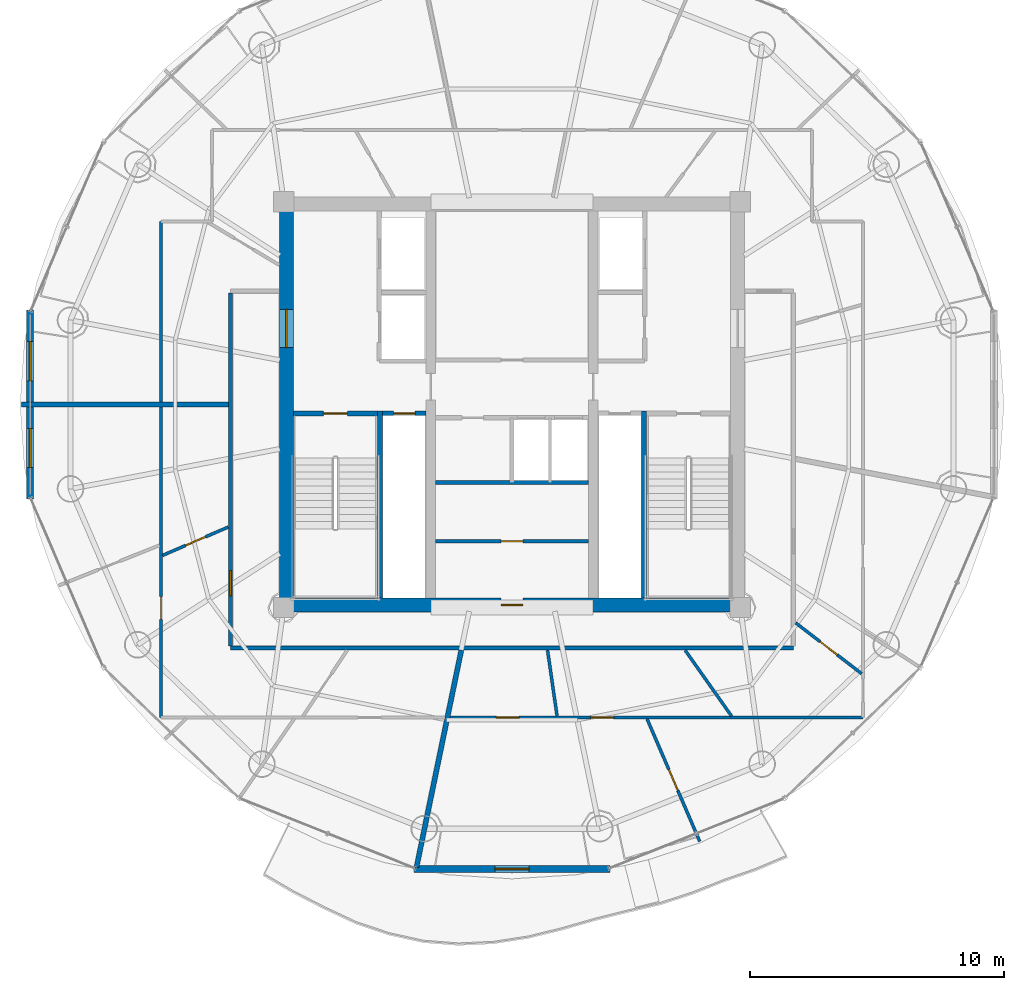
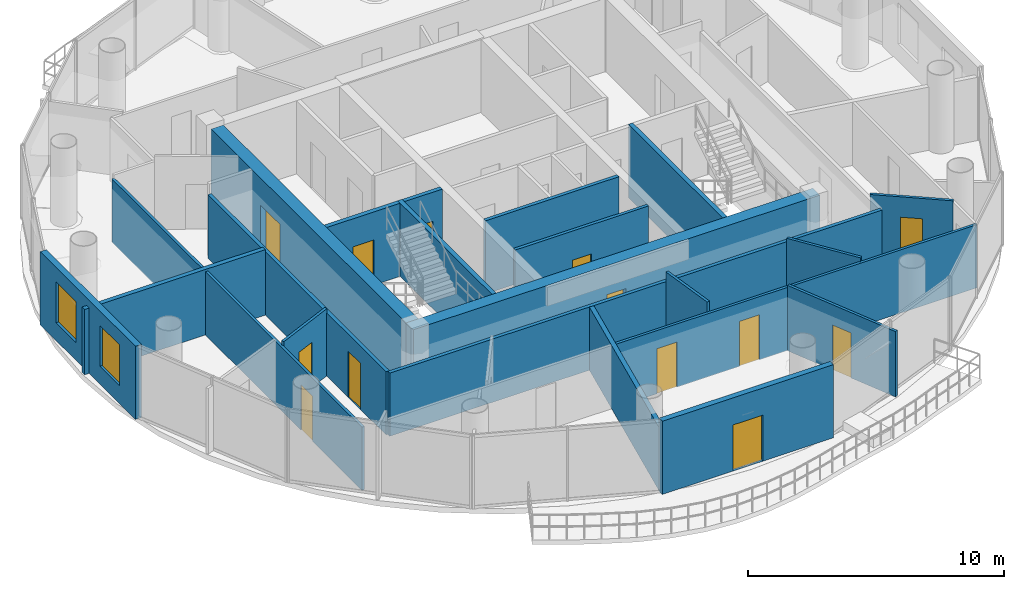
# One storey, part 17 of 23: 22 walls, 13 doors, 2 windows, 15 openings.
"""IFC4 building model written with IfcOpenShell, lengths in metres."""

from ifc_helpers import new_model, si_unit, direction, frame, frame_2d, origin, place, context, subcontext, project, spatial, rectangle, extrude, source, transform, mapped, material, layer, layer_set, type_object, element, fill, save


model = new_model("IFC4")

# Units and contexts
model_context = context("Model", 3, precision=1e-05, world=origin(), true_north=direction((-0.2419218956, 0.970295726276)))
body_context = subcontext(model_context, "Body", "Model", "MODEL_VIEW")
ifc_project = project(units=[si_unit("LENGTHUNIT", "METRE"), si_unit("AREAUNIT", "SQUARE_METRE"), si_unit("VOLUMEUNIT", "CUBIC_METRE"), si_unit("PLANEANGLEUNIT", "RADIAN"), si_unit("MASSUNIT", "GRAM", prefix="KILO")], contexts=[model_context])

# Site, building, storey
site_placement = place(None, origin())
site = spatial("IfcSite", under=ifc_project, at=site_placement, CompositionType="ELEMENT")
building_placement = place(site_placement, origin())
building = spatial("IfcBuilding", under=site, at=building_placement, Name="Cobrevalo Terracotta Tower", CompositionType="ELEMENT")
storey_placement = place(building_placement, frame((0.0, 0.0, 266.949951171875)))
storey = spatial("IfcBuildingStorey", under=building, at=storey_placement, Name="L70", CompositionType="ELEMENT", Elevation=266.949951171875)

# Wall, opening, door
ifc_material_1 = material(Name="Concrete C50", Category="concrete")
ifc_layer_1 = layer(ifc_material_1, 0.550048828125)
ifc_layer_set_1 = layer_set([ifc_layer_1], Name="Concrete C50")
wall_type_1 = type_object("IfcWallType", Name="Core shear wall 550 mm Concrete C50", PredefinedType="SHEAR", material=ifc_layer_set_1)
wall_1_placement = place(storey_placement, frame((28.824951171875, 18.89990234375, 0.0), z_axis=(0.0, 0.0, 1.0), x_axis=(1.0, 0.0, 0.0)))
wall_1 = element("IfcWall", 1, at=wall_1_placement, inside=storey, type_object=wall_type_1, Name="L70 south core shear wall", PredefinedType="SHEAR", context=body_context, shape_type="SweptSolid", body=[
    extrude(rectangle(XDim=18.35009765625, YDim=0.550048828125, at=frame_2d((9.175048828125, 0.0))), origin(), (0.0, 0.0, 1.0), 3.489990234375),
])
opening_1_placement = place(wall_1_placement, frame((8.75, 0.0, 0.0)))
opening_1 = element("IfcOpeningElement", 2, at=opening_1_placement, cuts=wall_1, Name="Opening ID-22", PredefinedType="OPENING", context=body_context, shape_type="SweptSolid", body=[
    extrude(rectangle(XDim=0.85009765625, YDim=2.10009765625, at=frame_2d((0.425048828125, 1.050048828125))), frame((0.0, 0.28515625, 0.0), z_axis=(0.0, -1.0, 0.0), x_axis=(1.0, 0.0, 0.0)), (0.0, 0.0, 1.0), 0.570068359375),
])
ifc_material_2 = material(Name="Powder-coated steel", Category="steel")
door_type_1 = type_object("IfcDoorType", Name="Riser shaft & meter closet fire access door 850x2100 EI 60", OperationType="NOTDEFINED", PredefinedType="DOOR", material=ifc_material_2)
shared_shape_1 = source(origin(), body_context, "Body", "SweptSolid", [
    extrude(rectangle(XDim=0.85009765625, YDim=2.10009765625, at=frame_2d((0.425048828125, 1.050048828125))), frame((0.0, 0.02490234375, 0.0), z_axis=(0.0, -1.0, 0.0), x_axis=(1.0, 0.0, 0.0)), (0.0, 0.0, 1.0), 0.050048828125),
])
door_1_placement = place(opening_1_placement, origin())
door_1 = element("IfcDoor", 3, at=door_1_placement, inside=storey, type_object=door_type_1, Name="L70 core south plant door Smoke Extract Fan Plant", OperationType="SINGLE_SWING_RIGHT", OverallHeight=2.10009765625, OverallWidth=0.85009765625, PredefinedType="DOOR", context=body_context, shape_type="MappedRepresentation", body=[
    mapped(shared_shape_1, transform((0.0, 0.0, 0.0), scale=1.0)),
])
fill(opening_1, door_1)

wall_2_placement = place(storey_placement, frame((29.10009765625, 19.175048828125, 0.0), z_axis=(0.0, 0.0, 1.0), x_axis=(0.0, 1.0, 0.0)))
wall_2 = element("IfcWall", 4, at=wall_2_placement, inside=storey, type_object=wall_type_1, Name="L70 west core shear wall", PredefinedType="SHEAR", context=body_context, shape_type="SweptSolid", body=[
    extrude(rectangle(XDim=15.25, YDim=0.550048828125, at=frame_2d((7.625, 0.0))), origin(), (0.0, 0.0, 1.0), 3.489990234375),
])
opening_2_placement = place(wall_2_placement, frame((9.875, 0.0, 0.0)))
opening_2 = element("IfcOpeningElement", 5, at=opening_2_placement, cuts=wall_2, Name="Opening ID-14", PredefinedType="OPENING", context=body_context, shape_type="SweptSolid", body=[
    extrude(rectangle(XDim=1.5, YDim=2.199951171875, at=frame_2d((0.75, 1.10009765625))), frame((0.0, 0.28515625, 0.0), z_axis=(0.0, -1.0, 0.0), x_axis=(1.0, 0.0, 0.0)), (0.0, 0.0, 1.0), 0.570068359375),
])
ifc_material_3 = material(Name="Galvanized fire-rated steel", Category="steel")
door_type_2 = type_object("IfcDoorType", Name="Core cross-lobby double fire door 1500x2200 EI 90", OperationType="NOTDEFINED", PredefinedType="DOOR", material=ifc_material_3)
shared_shape_2 = source(origin(), body_context, "Body", "SweptSolid", [
    extrude(rectangle(XDim=1.5, YDim=2.199951171875, at=frame_2d((0.75, 1.10009765625))), frame((0.0, 0.02490234375, 0.0), z_axis=(0.0, -1.0, 0.0), x_axis=(1.0, 0.0, 0.0)), (0.0, 0.0, 1.0), 0.050048828125),
])
door_2_placement = place(opening_2_placement, origin())
door_2 = element("IfcDoor", 6, at=door_2_placement, inside=storey, type_object=door_type_2, Name="L70 west firefighting lobby entrance door", OperationType="DOUBLE_DOOR_SINGLE_SWING", OverallHeight=2.199951171875, OverallWidth=1.5, PredefinedType="DOOR", context=body_context, shape_type="MappedRepresentation", body=[
    mapped(shared_shape_2, transform((0.0, 0.0, 0.0), scale=1.0)),
])
fill(opening_2, door_2)

# Walls
ifc_material_4 = material(Name="Gypsum board on steel stud", Category="steel")
ifc_layer_2 = layer(ifc_material_4, 0.159912109375)
ifc_layer_set_2 = layer_set([ifc_layer_2], Name="Gypsum board on steel stud")
wall_type_2 = type_object("IfcWallType", Name="Fire-rated corridor acoustic partition wall 160 mm", PredefinedType="PARTITIONING", material=ifc_layer_set_2)
wall_3_placement = place(storey_placement, frame((34.989990234375, 23.719970703125, 0.0), z_axis=(0.0, 0.0, 1.0), x_axis=(1.0, 0.0, 0.0)))
element("IfcWall", 7, at=wall_3_placement, inside=storey, type_object=wall_type_2, Name="L70 interior partition IW-L70-MB-S", PredefinedType="PARTITIONING", context=body_context, shape_type="SweptSolid", body=[
    extrude(rectangle(XDim=6.02001953125, YDim=0.159912109375, at=frame_2d((3.010009765625, 0.0))), origin(), (0.0, 0.0, 1.0), 3.489990234375),
])
wall_4_placement = place(storey_placement, frame((26.89501953125, 17.195068359375, 0.0), z_axis=(0.0, 0.0, 1.0), x_axis=(1.0, 0.0, 0.0)))
element("IfcWall", 8, at=wall_4_placement, inside=storey, type_object=wall_type_2, Name="L70 interior partition IW-L70-COR-S", PredefinedType="PARTITIONING", context=body_context, shape_type="SweptSolid", body=[
    extrude(rectangle(XDim=22.2099609375, YDim=0.159912109375, at=frame_2d((11.10498046875, 0.0))), origin(), (0.0, 0.0, 1.0), 3.01513671875),
])

# Wall, opening, door
wall_5_placement = place(storey_placement, frame((26.89501953125, 17.27490234375, 0.0), z_axis=(0.0, 0.0, 1.0), x_axis=(0.0, 1.0, 0.0)))
wall_5 = element("IfcWall", 9, at=wall_5_placement, inside=storey, type_object=wall_type_2, Name="L70 interior partition IW-L70-COR-W", PredefinedType="PARTITIONING", context=body_context, shape_type="SweptSolid", body=[
    extrude(rectangle(XDim=13.925048828125, YDim=0.159912109375, at=frame_2d((6.96240234375, 0.0))), origin(), (0.0, 0.0, 1.0), 3.01513671875),
])
opening_3_placement = place(wall_5_placement, frame((1.992431640625, 0.0, 0.0)))
opening_3 = element("IfcOpeningElement", 10, at=opening_3_placement, cuts=wall_5, Name="Opening ID-05", PredefinedType="OPENING", context=body_context, shape_type="SweptSolid", body=[
    extrude(rectangle(XDim=0.97998046875, YDim=2.199951171875, at=frame_2d((0.489990234375, 1.10009765625))), frame((0.0, 0.08984375, 0.0), z_axis=(0.0, -1.0, 0.0), x_axis=(1.0, 0.0, 0.0)), (0.0, 0.0, 1.0), 0.179931640625),
])
ifc_material_5 = material(Name="Solid hardwood timber", Category="wood")
door_type_3 = type_object("IfcDoorType", Name="Residence entrance fire-rated acoustic timber door 980x2200 EI 60", OperationType="NOTDEFINED", PredefinedType="DOOR", material=ifc_material_5)
shared_shape_3 = source(origin(), body_context, "Body", "SweptSolid", [
    extrude(rectangle(XDim=0.97998046875, YDim=2.199951171875, at=frame_2d((0.489990234375, 1.10009765625))), frame((0.0, 0.02490234375, 0.0), z_axis=(0.0, -1.0, 0.0), x_axis=(1.0, 0.0, 0.0)), (0.0, 0.0, 1.0), 0.050048828125),
])
door_3_placement = place(opening_3_placement, origin())
door_3 = element("IfcDoor", 11, at=door_3_placement, inside=storey, type_object=door_type_3, Name="Flat L70B fire-rated apartment entrance door", OperationType="SINGLE_SWING_RIGHT", OverallHeight=2.199951171875, OverallWidth=0.97998046875, PredefinedType="DOOR", context=body_context, shape_type="MappedRepresentation", body=[
    mapped(shared_shape_3, transform((0.0, 0.0, 0.0), scale=1.0)),
])
fill(opening_3, door_3)

ifc_layer_3 = layer(ifc_material_4, 0.179931640625)
ifc_layer_set_3 = layer_set([ifc_layer_3], Name="Gypsum board on steel stud")
wall_type_3 = type_object("IfcWallType", Name="Fire-rated shaft & lobby acoustic partition wall 180 mm", PredefinedType="PARTITIONING", material=ifc_layer_set_3)
wall_6_placement = place(storey_placement, frame((32.89990234375, 26.449951171875, 0.0), z_axis=(0.0, 0.0, 1.0), x_axis=(1.0, 0.0, 0.0)))
wall_6 = element("IfcWall", 12, at=wall_6_placement, inside=storey, type_object=wall_type_3, Name="L70 interior partition IW-L70-RSW-N", PredefinedType="PARTITIONING", context=body_context, shape_type="SweptSolid", body=[
    extrude(rectangle(XDim=1.710205078125, YDim=0.179931640625, at=frame_2d((0.85498046875, 0.0))), origin(), (0.0, 0.0, 1.0), 3.489990234375),
])
opening_4_placement = place(wall_6_placement, frame((0.429931640625, 0.0, 0.0)))
opening_4 = element("IfcOpeningElement", 13, at=opening_4_placement, cuts=wall_6, Name="Opening ID-22", PredefinedType="OPENING", context=body_context, shape_type="SweptSolid", body=[
    extrude(rectangle(XDim=0.85009765625, YDim=2.10009765625, at=frame_2d((0.425048828125, 1.050048828125))), frame((0.0, 0.10009765625, 0.0), z_axis=(0.0, -1.0, 0.0), x_axis=(1.0, 0.0, 0.0)), (0.0, 0.0, 1.0), 0.199951171875),
])
door_4_placement = place(opening_4_placement, origin())
door_4 = element("IfcDoor", 14, at=door_4_placement, inside=storey, type_object=door_type_1, Name="L70 riser access door RSW", OperationType="SINGLE_SWING_LEFT", OverallHeight=2.10009765625, OverallWidth=0.85009765625, PredefinedType="DOOR", context=body_context, shape_type="MappedRepresentation", body=[
    mapped(shared_shape_1, transform((0.0, 0.0, 0.0), scale=1.0)),
])
fill(opening_4, door_4)

# Walls
ifc_material_6 = material(Name="Autoclaved aerated concrete block", Category="concrete")
ifc_layer_4 = layer(ifc_material_6, 0.199951171875)
ifc_layer_set_4 = layer_set([ifc_layer_4], Name="Autoclaved aerated concrete block")
wall_type_4 = type_object("IfcWallType", Name="Fire-rated stair, shaft & demising masonry wall 200 mm", PredefinedType="PARTITIONING", material=ifc_layer_set_4)
wall_7_placement = place(storey_placement, frame((26.81494140625, 26.800048828125, 0.0), z_axis=(0.0, 0.0, 1.0), x_axis=(-1.0, 0.0, 0.0)))
element("IfcWall", 15, at=wall_7_placement, inside=storey, type_object=wall_type_4, Name="L70 interior partition IW-L70-DEM-2", PredefinedType="PARTITIONING", context=body_context, shape_type="SweptSolid", body=[
    extrude(rectangle(XDim=8.155029296875, YDim=0.199951171875, at=frame_2d((4.07763671875, 0.0))), origin(), (0.0, 0.0, 1.0), 3.12109375),
])
wall_8_placement = place(storey_placement, frame((36.00146484375, 17.114990234375, 0.0), z_axis=(0.0, 0.0, 1.0), x_axis=(-0.202108543081, -0.979363128167, 0.0)))
element("IfcWall", 16, at=wall_8_placement, inside=storey, type_object=wall_type_4, Name="L70 interior partition IW-L70-DEM-3", PredefinedType="PARTITIONING", context=body_context, shape_type="SweptSolid", body=[
    extrude(rectangle(XDim=8.738525390625, YDim=0.199951171875, at=frame_2d((4.369140625, 0.0))), origin(), (0.0, 0.0, 1.0), 3.01513671875),
])

# Wall, openings, windows
ifc_layer_5 = layer(ifc_material_6, 0.280029296875)
ifc_layer_set_5 = layer_set([ifc_layer_5], Name="Autoclaved aerated concrete block")
wall_type_5 = type_object("IfcWallType", Name="Insulated tower spandrel & pier wall 280 mm with terracotta rainscreen", PredefinedType="SOLIDWALL", material=ifc_layer_set_5)
wall_9_placement = place(storey_placement, frame((19.002197265625, 30.522216796875, 0.0), z_axis=(0.0, 0.0, 1.0), x_axis=(0.0, -1.0, 0.0)))
wall_9 = element("IfcWall", 17, at=wall_9_placement, inside=storey, type_object=wall_type_5, Name="L70 terracotta rainscreen pier wall S08", PredefinedType="SOLIDWALL", context=body_context, shape_type="SweptSolid", body=[
    extrude(rectangle(XDim=7.444580078125, YDim=0.280029296875, at=frame_2d((3.72216796875, 0.0))), origin(), (0.0, 0.0, 1.0), 3.489990234375),
])
opening_5_placement = place(wall_9_placement, frame((1.235107421875, 0.0, 0.85009765625)))
opening_5 = element("IfcOpeningElement", 18, at=opening_5_placement, cuts=wall_9, Name="Opening WN-12", PredefinedType="OPENING", context=body_context, shape_type="SweptSolid", body=[
    extrude(rectangle(XDim=1.550048828125, YDim=1.949951171875, at=frame_2d((0.77490234375, 0.97509765625))), frame((0.0, 0.14990234375, 0.0), z_axis=(0.0, -1.0, 0.0), x_axis=(1.0, 0.0, 0.0)), (0.0, 0.0, 1.0), 0.300048828125),
])
opening_6_placement = place(wall_9_placement, frame((4.65966796875, 0.0, 0.85009765625)))
opening_6 = element("IfcOpeningElement", 19, at=opening_6_placement, cuts=wall_9, Name="Opening WN-12", PredefinedType="OPENING", context=body_context, shape_type="SweptSolid", body=[
    extrude(rectangle(XDim=1.550048828125, YDim=1.949951171875, at=frame_2d((0.77490234375, 0.97509765625))), frame((0.0, 0.14990234375, 0.0), z_axis=(0.0, -1.0, 0.0), x_axis=(1.0, 0.0, 0.0)), (0.0, 0.0, 1.0), 0.300048828125),
])
ifc_material_7 = material(Name="Solar-control low-E double glazing", Category="glass")
window_type = type_object("IfcWindowType", Name="Solar-control low-E aluminium window 1550x1950", PartitioningType="SINGLE_PANEL", PredefinedType="WINDOW", material=ifc_material_7)
shared_shape_4 = source(origin(), body_context, "Body", "SweptSolid", [
    extrude(rectangle(XDim=1.550048828125, YDim=1.949951171875, at=frame_2d((0.77490234375, 0.97509765625))), frame((0.0, 0.030029296875, 0.0), z_axis=(0.0, -1.0, 0.0), x_axis=(1.0, 0.0, 0.0)), (0.0, 0.0, 1.0), 0.06005859375),
])
window_1_placement = place(opening_5_placement, origin())
window_1 = element("IfcWindow", 20, at=window_1_placement, inside=storey, type_object=window_type, Name="L70 suite window S08A", OverallHeight=1.949951171875, OverallWidth=1.550048828125, PartitioningType="SINGLE_PANEL", PredefinedType="WINDOW", context=body_context, shape_type="MappedRepresentation", body=[
    mapped(shared_shape_4, transform((0.0, 0.0, 0.0), scale=1.0)),
])
fill(opening_5, window_1)
window_2_placement = place(opening_6_placement, origin())
window_2 = element("IfcWindow", 21, at=window_2_placement, inside=storey, type_object=window_type, Name="L70 suite window S08B", OverallHeight=1.949951171875, OverallWidth=1.550048828125, PartitioningType="SINGLE_PANEL", PredefinedType="WINDOW", context=body_context, shape_type="MappedRepresentation", body=[
    mapped(shared_shape_4, transform((0.0, 0.0, 0.0), scale=1.0)),
])
fill(opening_6, window_2)

# Wall, opening, door
ifc_layer_6 = layer(ifc_material_6, 0.139892578125)
ifc_layer_set_6 = layer_set([ifc_layer_6], Name="Autoclaved aerated concrete block")
wall_type_6 = type_object("IfcWallType", Name="Moisture-resistant wet-room & core service partition 140 mm", PredefinedType="PARTITIONING", material=ifc_layer_set_6)
wall_10_placement = place(storey_placement, frame((34.989990234375, 21.407470703125, 0.0), z_axis=(0.0, 0.0, 1.0), x_axis=(1.0, 0.0, 0.0)))
wall_10 = element("IfcWall", 22, at=wall_10_placement, inside=storey, type_object=wall_type_6, Name="L70 interior partition IW-L70-KVS-H", PredefinedType="PARTITIONING", context=body_context, shape_type="SweptSolid", body=[
    extrude(rectangle(XDim=6.02001953125, YDim=0.139892578125, at=frame_2d((3.010009765625, 0.0))), origin(), (0.0, 0.0, 1.0), 3.489990234375),
])
opening_7_placement = place(wall_10_placement, frame((2.5849609375, 0.0, 0.0)))
opening_7 = element("IfcOpeningElement", 23, at=opening_7_placement, cuts=wall_10, Name="Opening ID-22", PredefinedType="OPENING", context=body_context, shape_type="SweptSolid", body=[
    extrude(rectangle(XDim=0.85009765625, YDim=2.10009765625, at=frame_2d((0.425048828125, 1.050048828125))), frame((0.0, 0.080078125, 0.0), z_axis=(0.0, -1.0, 0.0), x_axis=(1.0, 0.0, 0.0)), (0.0, 0.0, 1.0), 0.159912109375),
])
door_5_placement = place(opening_7_placement, origin())
door_5 = element("IfcDoor", 24, at=door_5_placement, inside=storey, type_object=door_type_1, Name="L70 core manifold inner door", OperationType="SINGLE_SWING_LEFT", OverallHeight=2.10009765625, OverallWidth=0.85009765625, PredefinedType="DOOR", context=body_context, shape_type="MappedRepresentation", body=[
    mapped(shared_shape_1, transform((0.0, 0.0, 0.0), scale=1.0)),
])
fill(opening_7, door_5)

ifc_layer_7 = layer(ifc_material_6, 0.260009765625)
ifc_layer_set_7 = layer_set([ifc_layer_7], Name="Autoclaved aerated concrete block")
wall_type_7 = type_object("IfcWallType", Name="Recessed balcony loggia insulated exterior wall 260 mm", PredefinedType="SOLIDWALL", material=ifc_layer_set_7)
wall_11_placement = place(storey_placement, frame((34.14111328125, 8.48876953125, 0.0), z_axis=(0.0, 0.0, 1.0), x_axis=(1.0, 0.0, 0.0)))
wall_11 = element("IfcWall", 25, at=wall_11_placement, inside=storey, type_object=wall_type_7, Name="L70 balcony loggia wall S12", PredefinedType="SOLIDWALL", context=body_context, shape_type="SweptSolid", body=[
    extrude(rectangle(XDim=7.7177734375, YDim=0.260009765625, at=frame_2d((3.85888671875, 0.0))), origin(), (0.0, 0.0, 1.0), 3.489990234375),
])
opening_8_placement = place(wall_11_placement, frame((3.183837890625, 0.0, 0.0)))
opening_8 = element("IfcOpeningElement", 26, at=opening_8_placement, cuts=wall_11, Name="Opening ED-05", PredefinedType="OPENING", context=body_context, shape_type="SweptSolid", body=[
    extrude(rectangle(XDim=1.35009765625, YDim=2.199951171875, at=frame_2d((0.675048828125, 1.10009765625))), frame((0.0, 0.14013671875, 0.0), z_axis=(0.0, -1.0, 0.0), x_axis=(1.0, 0.0, 0.0)), (0.0, 0.0, 1.0), 0.280029296875),
])
ifc_material_8 = material(Name="Anodized aluminium and laminated glass", Category="aluminium")
door_type_4 = type_object("IfcDoorType", Name="Suite balcony acoustic glazed terrace door 1350x2200", OperationType="NOTDEFINED", PredefinedType="DOOR", material=ifc_material_8)
shared_shape_5 = source(origin(), body_context, "Body", "SweptSolid", [
    extrude(rectangle(XDim=1.35009765625, YDim=2.199951171875, at=frame_2d((0.675048828125, 1.10009765625))), frame((0.0, 0.02490234375, 0.0), z_axis=(0.0, -1.0, 0.0), x_axis=(1.0, 0.0, 0.0)), (0.0, 0.0, 1.0), 0.050048828125),
])
door_6_placement = place(opening_8_placement, frame((1.35009765625, 0.0, 0.0), z_axis=(0.0, 0.0, 1.0), x_axis=(-1.0, 0.0, 0.0)))
door_6 = element("IfcDoor", 27, at=door_6_placement, inside=storey, type_object=door_type_4, Name="L70 glazed balcony terrace door 2", OperationType="SINGLE_SWING_RIGHT", OverallHeight=2.199951171875, OverallWidth=1.35009765625, PredefinedType="DOOR", context=body_context, shape_type="MappedRepresentation", body=[
    mapped(shared_shape_5, transform((0.0, 0.0, 0.0), scale=1.0)),
])
fill(opening_8, door_6)

# Wall
ifc_layer_8 = layer(ifc_material_4, 0.1201171875)
ifc_layer_set_8 = layer_set([ifc_layer_8], Name="Gypsum board on steel stud")
wall_type_8 = type_object("IfcWallType", Name="Residential internal acoustic stud partition 120 mm", PredefinedType="PARTITIONING", material=ifc_layer_set_8)
wall_12_placement = place(storey_placement, frame((24.1650390625, 26.902099609375, 0.0), z_axis=(0.0, 0.0, 1.0), x_axis=(0.0, 1.0, 0.0)))
element("IfcWall", 28, at=wall_12_placement, inside=storey, type_object=wall_type_8, Name="L70 interior partition IW-L70-U1-RING0_0", PredefinedType="PARTITIONING", context=body_context, shape_type="SweptSolid", body=[
    extrude(rectangle(XDim=7.10791015625, YDim=0.1201171875, at=frame_2d((3.553955078125, 0.0))), origin(), (0.0, 0.0, 1.0), 3.01513671875),
])

# Wall, opening, door
wall_13_placement = place(storey_placement, frame((24.1650390625, 14.465087890625, 0.0), z_axis=(0.0, 0.0, 1.0), x_axis=(0.0, 1.0, 0.0)))
wall_13 = element("IfcWall", 29, at=wall_13_placement, inside=storey, type_object=wall_type_8, Name="L70 interior partition IW-L70-U2-RING1_0", PredefinedType="PARTITIONING", context=body_context, shape_type="SweptSolid", body=[
    extrude(rectangle(XDim=12.23291015625, YDim=0.1201171875, at=frame_2d((6.116455078125, 0.0))), origin(), (0.0, 0.0, 1.0), 3.01513671875),
])
opening_9_placement = place(wall_13_placement, frame((3.86279296875, 0.0, 0.0)))
opening_9 = element("IfcOpeningElement", 30, at=opening_9_placement, cuts=wall_13, Name="Opening ID-12", PredefinedType="OPENING", context=body_context, shape_type="SweptSolid", body=[
    extrude(rectangle(XDim=0.89990234375, YDim=2.14990234375, at=frame_2d((0.449951171875, 1.074951171875))), frame((0.0, 0.070068359375, 0.0), z_axis=(0.0, -1.0, 0.0), x_axis=(1.0, 0.0, 0.0)), (0.0, 0.0, 1.0), 0.14013671875),
])
ifc_material_9 = material(Name="Engineered timber", Category="wood")
door_type_5 = type_object("IfcDoorType", Name="Internal residence & suite timber door 900x2150", OperationType="NOTDEFINED", PredefinedType="DOOR", material=ifc_material_9)
shared_shape_6 = source(origin(), body_context, "Body", "SweptSolid", [
    extrude(rectangle(XDim=0.89990234375, YDim=2.14990234375, at=frame_2d((0.449951171875, 1.074951171875))), frame((0.0, 0.02490234375, 0.0), z_axis=(0.0, -1.0, 0.0), x_axis=(1.0, 0.0, 0.0)), (0.0, 0.0, 1.0), 0.050048828125),
])
door_7_placement = place(opening_9_placement, origin())
door_7 = element("IfcDoor", 31, at=door_7_placement, inside=storey, type_object=door_type_5, Name="Flat L70B Master Bedroom internal door", OperationType="SINGLE_SWING_LEFT", OverallHeight=2.14990234375, OverallWidth=0.89990234375, PredefinedType="DOOR", context=body_context, shape_type="MappedRepresentation", body=[
    mapped(shared_shape_6, transform((0.0, 0.0, 0.0), scale=1.0)),
])
fill(opening_9, door_7)

wall_14_placement = place(storey_placement, frame((26.81494140625, 21.9716796875, 0.0), z_axis=(0.0, 0.0, 1.0), x_axis=(-0.918135987469, -0.396265452082, 0.0)))
wall_14 = element("IfcWall", 32, at=wall_14_placement, inside=storey, type_object=wall_type_8, Name="L70 interior partition IW-L70-U2-IRAD1", PredefinedType="PARTITIONING", context=body_context, shape_type="SweptSolid", body=[
    extrude(rectangle(XDim=2.82421875, YDim=0.1201171875, at=frame_2d((1.412109375, 0.0))), origin(), (0.0, 0.0, 1.0), 3.208984375),
])
opening_10_placement = place(wall_14_placement, frame((0.982177734375, 0.0, 0.0)))
opening_10 = element("IfcOpeningElement", 33, at=opening_10_placement, cuts=wall_14, Name="Opening ID-19", PredefinedType="OPENING", context=body_context, shape_type="SweptSolid", body=[
    extrude(rectangle(XDim=0.860107421875, YDim=2.14990234375, at=frame_2d((0.43017578125, 1.074951171875))), frame((0.0, 0.070068359375, 0.0), z_axis=(0.0, -1.0, 0.0), x_axis=(1.0, 0.0, 0.0)), (0.0, 0.0, 1.0), 0.14013671875),
])
ifc_material_10 = material(Name="Moisture-sealed timber", Category="wood")
door_type_6 = type_object("IfcDoorType", Name="Suite bathroom internal timber door 860x2150", OperationType="NOTDEFINED", PredefinedType="DOOR", material=ifc_material_10)
shared_shape_7 = source(origin(), body_context, "Body", "SweptSolid", [
    extrude(rectangle(XDim=0.860107421875, YDim=2.14990234375, at=frame_2d((0.43017578125, 1.074951171875))), frame((0.0, 0.02490234375, 0.0), z_axis=(0.0, -1.0, 0.0), x_axis=(1.0, 0.0, 0.0)), (0.0, 0.0, 1.0), 0.050048828125),
])
door_8_placement = place(opening_10_placement, frame((0.860107421875, 0.0, 0.0), z_axis=(0.0, 0.0, 1.0), x_axis=(-1.0, 0.0, 0.0)))
door_8 = element("IfcDoor", 34, at=door_8_placement, inside=storey, type_object=door_type_6, Name="Flat L70B Primary Bathroom internal door", OperationType="SINGLE_SWING_LEFT", OverallHeight=2.14990234375, OverallWidth=0.860107421875, PredefinedType="DOOR", context=body_context, shape_type="MappedRepresentation", body=[
    mapped(shared_shape_7, transform((0.0, 0.0, 0.0), scale=1.0)),
])
fill(opening_10, door_8)

# Wall, openings, doors
wall_15_placement = place(storey_placement, frame((51.8349609375, 14.465087890625, 0.0), z_axis=(0.0, 0.0, 1.0), x_axis=(-1.0, 0.0, 0.0)))
wall_15 = element("IfcWall", 35, at=wall_15_placement, inside=storey, type_object=wall_type_8, Name="L70 interior partition IW-L70-U3-RING1_0", PredefinedType="PARTITIONING", context=body_context, shape_type="SweptSolid", body=[
    extrude(rectangle(XDim=16.2783203125, YDim=0.1201171875, at=frame_2d((8.13916015625, 0.0))), origin(), (0.0, 0.0, 1.0), 3.01513671875),
])
opening_11_placement = place(wall_15_placement, frame((9.82958984375, 0.0, 0.0)))
opening_11 = element("IfcOpeningElement", 36, at=opening_11_placement, cuts=wall_15, Name="Opening ID-12", PredefinedType="OPENING", context=body_context, shape_type="SweptSolid", body=[
    extrude(rectangle(XDim=0.89990234375, YDim=2.14990234375, at=frame_2d((0.449951171875, 1.074951171875))), frame((0.0, 0.070068359375, 0.0), z_axis=(0.0, -1.0, 0.0), x_axis=(1.0, 0.0, 0.0)), (0.0, 0.0, 1.0), 0.14013671875),
])
opening_12_placement = place(wall_15_placement, frame((13.554443359375, 0.0, 0.0)))
opening_12 = element("IfcOpeningElement", 37, at=opening_12_placement, cuts=wall_15, Name="Opening ID-12", PredefinedType="OPENING", context=body_context, shape_type="SweptSolid", body=[
    extrude(rectangle(XDim=0.89990234375, YDim=2.14990234375, at=frame_2d((0.449951171875, 1.074951171875))), frame((0.0, 0.070068359375, 0.0), z_axis=(0.0, -1.0, 0.0), x_axis=(1.0, 0.0, 0.0)), (0.0, 0.0, 1.0), 0.14013671875),
])
door_9_placement = place(opening_11_placement, frame((0.89990234375, 0.0, 0.0), z_axis=(0.0, 0.0, 1.0), x_axis=(-1.0, 0.0, 0.0)))
door_9 = element("IfcDoor", 38, at=door_9_placement, inside=storey, type_object=door_type_5, Name="Flat L70C Kitchen internal door", OperationType="SINGLE_SWING_LEFT", OverallHeight=2.14990234375, OverallWidth=0.89990234375, PredefinedType="DOOR", context=body_context, shape_type="MappedRepresentation", body=[
    mapped(shared_shape_6, transform((0.0, 0.0, 0.0), scale=1.0)),
])
fill(opening_11, door_9)
door_10_placement = place(opening_12_placement, frame((0.89990234375, 0.0, 0.0), z_axis=(0.0, 0.0, 1.0), x_axis=(-1.0, 0.0, 0.0)))
door_10 = element("IfcDoor", 39, at=door_10_placement, inside=storey, type_object=door_type_5, Name="Flat L70C Private Library Meeting Room internal door", OperationType="SINGLE_SWING_RIGHT", OverallHeight=2.14990234375, OverallWidth=0.89990234375, PredefinedType="DOOR", context=body_context, shape_type="MappedRepresentation", body=[
    mapped(shared_shape_6, transform((0.0, 0.0, 0.0), scale=1.0)),
])
fill(opening_12, door_10)

# Wall, opening, door
wall_16_placement = place(storey_placement, frame((43.324951171875, 14.407958984375, 0.0), z_axis=(0.0, 0.0, 1.0), x_axis=(0.394816056217, -0.918760187292, 0.0)))
wall_16 = element("IfcWall", 40, at=wall_16_placement, inside=storey, type_object=wall_type_8, Name="L70 interior partition IW-L70-U3-ORAD1", PredefinedType="PARTITIONING", context=body_context, shape_type="SweptSolid", body=[
    extrude(rectangle(XDim=5.256103515625, YDim=0.1201171875, at=frame_2d((2.6279296875, 0.0))), origin(), (0.0, 0.0, 1.0), 3.12109375),
])
opening_13_placement = place(wall_16_placement, frame((2.177978515625, 0.0, 0.0)))
opening_13 = element("IfcOpeningElement", 41, at=opening_13_placement, cuts=wall_16, Name="Opening ID-12", PredefinedType="OPENING", context=body_context, shape_type="SweptSolid", body=[
    extrude(rectangle(XDim=0.89990234375, YDim=2.14990234375, at=frame_2d((0.449951171875, 1.074951171875))), frame((0.0, 0.070068359375, 0.0), z_axis=(0.0, -1.0, 0.0), x_axis=(1.0, 0.0, 0.0)), (0.0, 0.0, 1.0), 0.14013671875),
])
door_11_placement = place(opening_13_placement, frame((0.89990234375, 0.0, 0.0), z_axis=(0.0, 0.0, 1.0), x_axis=(-1.0, 0.0, 0.0)))
door_11 = element("IfcDoor", 42, at=door_11_placement, inside=storey, type_object=door_type_5, Name="Flat L70C Living and Dining Room internal door", OperationType="SINGLE_SWING_RIGHT", OverallHeight=2.14990234375, OverallWidth=0.89990234375, PredefinedType="DOOR", context=body_context, shape_type="MappedRepresentation", body=[
    mapped(shared_shape_6, transform((0.0, 0.0, 0.0), scale=1.0)),
])
fill(opening_13, door_11)

# Walls
wall_17_placement = place(storey_placement, frame((39.401611328125, 17.114990234375, 0.0), z_axis=(0.0, 0.0, 1.0), x_axis=(0.143185278857, -0.989695900728, 0.0)))
element("IfcWall", 43, at=wall_17_placement, inside=storey, type_object=wall_type_8, Name="L70 interior partition IW-L70-U3-IRAD1", PredefinedType="PARTITIONING", context=body_context, shape_type="SweptSolid", body=[
    extrude(rectangle(XDim=2.615478515625, YDim=0.1201171875, at=frame_2d((1.3076171875, 0.0))), origin(), (0.0, 0.0, 1.0), 3.489990234375),
])
wall_18_placement = place(storey_placement, frame((44.825927734375, 17.114990234375, 0.0), z_axis=(0.0, 0.0, 1.0), x_axis=(0.57609227969, -0.817384661761, 0.0)))
element("IfcWall", 44, at=wall_18_placement, inside=storey, type_object=wall_type_8, Name="L70 interior partition IW-L70-U3-IRAD2", PredefinedType="PARTITIONING", context=body_context, shape_type="SweptSolid", body=[
    extrude(rectangle(XDim=3.18017578125, YDim=0.1201171875, at=frame_2d((1.590087890625, 0.0))), origin(), (0.0, 0.0, 1.0), 3.208984375),
])

# Wall, opening, door
wall_19_placement = place(storey_placement, frame((49.18505859375, 18.1923828125, 0.0), z_axis=(0.0, 0.0, 1.0), x_axis=(0.792502290575, -0.609868936275, 0.0)))
wall_19 = element("IfcWall", 45, at=wall_19_placement, inside=storey, type_object=wall_type_8, Name="L70 interior partition IW-L70-U3-IRAD3", PredefinedType="PARTITIONING", context=body_context, shape_type="SweptSolid", body=[
    extrude(rectangle(XDim=3.28173828125, YDim=0.1201171875, at=frame_2d((1.640869140625, 0.0))), origin(), (0.0, 0.0, 1.0), 3.12109375),
])
opening_14_placement = place(wall_19_placement, frame((1.2109375, 0.0, 0.0)))
opening_14 = element("IfcOpeningElement", 46, at=opening_14_placement, cuts=wall_19, Name="Opening ID-19", PredefinedType="OPENING", context=body_context, shape_type="SweptSolid", body=[
    extrude(rectangle(XDim=0.860107421875, YDim=2.14990234375, at=frame_2d((0.43017578125, 1.074951171875))), frame((0.0, 0.070068359375, 0.0), z_axis=(0.0, -1.0, 0.0), x_axis=(1.0, 0.0, 0.0)), (0.0, 0.0, 1.0), 0.14013671875),
])
door_12_placement = place(opening_14_placement, frame((0.860107421875, 0.0, 0.0), z_axis=(0.0, 0.0, 1.0), x_axis=(-1.0, 0.0, 0.0)))
door_12 = element("IfcDoor", 47, at=door_12_placement, inside=storey, type_object=door_type_6, Name="Flat L70C Primary Bathroom internal door", OperationType="SINGLE_SWING_LEFT", OverallHeight=2.14990234375, OverallWidth=0.860107421875, PredefinedType="DOOR", context=body_context, shape_type="MappedRepresentation", body=[
    mapped(shared_shape_7, transform((0.0, 0.0, 0.0), scale=1.0)),
])
fill(opening_14, door_12)

# Wall
ifc_layer_9 = layer(ifc_material_1, 0.199951171875)
ifc_layer_set_9 = layer_set([ifc_layer_9], Name="Concrete C50")
wall_type_9 = type_object("IfcWallType", Name="Structural core & podium stair-shaft RC wall 200 mm Concrete C50", PredefinedType="SOLIDWALL", material=ifc_layer_set_9)
wall_20_placement = place(storey_placement, frame((32.794921875, 19.175048828125, 0.0), z_axis=(0.0, 0.0, 1.0), x_axis=(0.0, 1.0, 0.0)))
element("IfcWall", 48, at=wall_20_placement, inside=storey, type_object=wall_type_9, Name="L70 ST-1 east structural shaft wall", PredefinedType="SOLIDWALL", context=body_context, shape_type="SweptSolid", body=[
    extrude(rectangle(XDim=7.375, YDim=0.199951171875, at=frame_2d((3.6875, 0.0))), origin(), (0.0, 0.0, 1.0), 3.489990234375),
])

# Wall, opening, door
wall_21_placement = place(storey_placement, frame((29.375, 26.449951171875, 0.0), z_axis=(0.0, 0.0, 1.0), x_axis=(1.0, 0.0, 0.0)))
wall_21 = element("IfcWall", 49, at=wall_21_placement, inside=storey, type_object=wall_type_9, Name="L70 ST-1 north structural shaft wall", PredefinedType="SOLIDWALL", context=body_context, shape_type="SweptSolid", body=[
    extrude(rectangle(XDim=3.320068359375, YDim=0.199951171875, at=frame_2d((1.66015625, 0.0))), origin(), (0.0, 0.0, 1.0), 3.489990234375),
])
opening_15_placement = place(wall_21_placement, frame((1.18505859375, 0.0, 0.0)))
opening_15 = element("IfcOpeningElement", 50, at=opening_15_placement, cuts=wall_21, Name="Opening ID-04", PredefinedType="OPENING", context=body_context, shape_type="SweptSolid", body=[
    extrude(rectangle(XDim=0.949951171875, YDim=2.14990234375, at=frame_2d((0.47509765625, 1.074951171875))), frame((0.0, 0.10986328125, 0.0), z_axis=(0.0, -1.0, 0.0), x_axis=(1.0, 0.0, 0.0)), (0.0, 0.0, 1.0), 0.219970703125),
])
door_type_7 = type_object("IfcDoorType", Name="Stair & firefighting lobby fire door 950x2150 EI 90", OperationType="NOTDEFINED", PredefinedType="DOOR", material=ifc_material_3)
shared_shape_8 = source(origin(), body_context, "Body", "SweptSolid", [
    extrude(rectangle(XDim=0.949951171875, YDim=2.14990234375, at=frame_2d((0.47509765625, 1.074951171875))), frame((0.0, 0.02490234375, 0.0), z_axis=(0.0, -1.0, 0.0), x_axis=(1.0, 0.0, 0.0)), (0.0, 0.0, 1.0), 0.050048828125),
])
door_13_placement = place(opening_15_placement, origin())
door_13 = element("IfcDoor", 51, at=door_13_placement, inside=storey, type_object=door_type_7, Name="L70 protected stair ST1 fire door", OperationType="SINGLE_SWING_LEFT", OverallHeight=2.14990234375, OverallWidth=0.949951171875, PredefinedType="DOOR", context=body_context, shape_type="MappedRepresentation", body=[
    mapped(shared_shape_8, transform((0.0, 0.0, 0.0), scale=1.0)),
])
fill(opening_15, door_13)

# Wall
wall_22_placement = place(storey_placement, frame((43.205078125, 19.175048828125, 0.0), z_axis=(0.0, 0.0, 1.0), x_axis=(0.0, 1.0, 0.0)))
element("IfcWall", 52, at=wall_22_placement, inside=storey, type_object=wall_type_9, Name="L70 ST-2 west structural shaft wall", PredefinedType="SOLIDWALL", context=body_context, shape_type="SweptSolid", body=[
    extrude(rectangle(XDim=7.375, YDim=0.199951171875, at=frame_2d((3.6875, 0.0))), origin(), (0.0, 0.0, 1.0), 3.489990234375),
])

save(model, "model.ifc")
